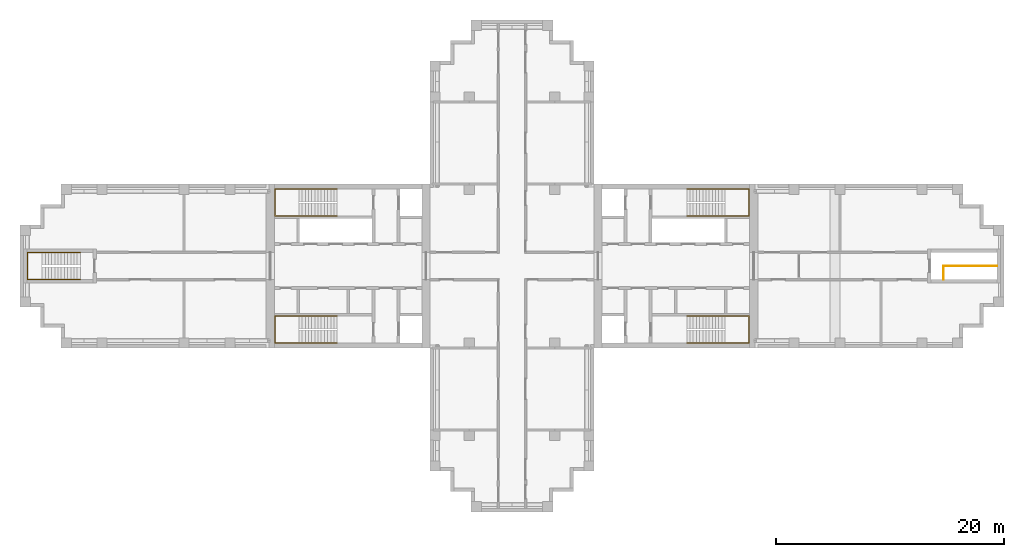
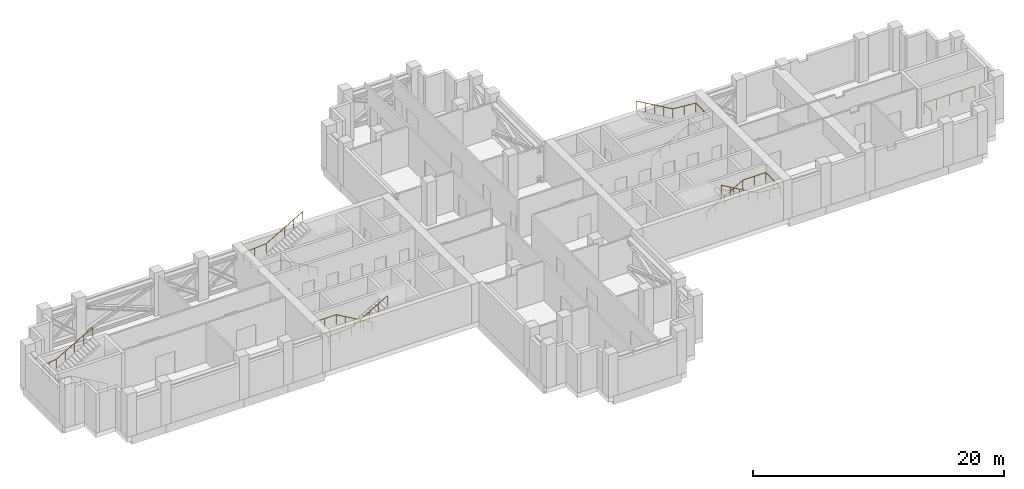
# One storey, part 9 of 9: 6 railings.
"""IFC4 building model written with IfcOpenShell, lengths in metres."""

from ifc_helpers import new_model, si_unit, direction, frame, origin, origin_2d, place, context, subcontext, project, spatial, circle, extrude, material, type_object, element, save


model = new_model("IFC4")

# Units and contexts
model_context = context("Model", 3, precision=1e-05, world=origin(), true_north=direction((0.0, 1.0)))
body_context = subcontext(model_context, "Body", "Model", "MODEL_VIEW")
ifc_project = project(units=[si_unit("LENGTHUNIT", "METRE"), si_unit("AREAUNIT", "SQUARE_METRE"), si_unit("VOLUMEUNIT", "CUBIC_METRE"), si_unit("PLANEANGLEUNIT", "RADIAN"), si_unit("MASSUNIT", "GRAM", prefix="KILO")], contexts=[model_context])

# Site, building, storey
site_placement = place(None, origin())
site = spatial("IfcSite", under=ifc_project, at=site_placement, CompositionType="ELEMENT")
building_placement = place(site_placement, origin())
building = spatial("IfcBuilding", under=site, at=building_placement, Name="Fustian Cross Tower", CompositionType="ELEMENT")
storey_placement = place(building_placement, frame((0.0, 0.0, 162.300048828125)))
storey = spatial("IfcBuildingStorey", under=building, at=storey_placement, Name="L51", CompositionType="ELEMENT", Elevation=162.300048828125)

# Railings
ifc_material_1 = material(Name="Stainless steel", Category="steel")
railing_type_1 = type_object("IfcRailingType", Name="STAIR GUARD", PredefinedType="GUARDRAIL", material=ifc_material_1)
railing_1_placement = place(storey_placement, frame((37.89990234375, -1.199951171875, 0.0)))
element("IfcRailing", 1, at=railing_1_placement, inside=storey, type_object=railing_type_1, Name="Stair ST8 guard", PredefinedType="GUARDRAIL", context=body_context, shape_type="SweptSolid", body=[
    extrude(circle(Radius=0.02490234375, at=origin_2d()), frame((0.0, 0.0, 1.0751953125), z_axis=(0.0, 1.0, 0.0), x_axis=(-1.0, 0.0, 0.0)), (0.0, 0.0, 1.0), 1.199951171875),
    extrude(circle(Radius=0.02490234375, at=origin_2d()), frame((0.0, 1.199951171875, 1.0751953125), z_axis=(1.0, 0.0, 0.0), x_axis=(0.0, 1.0, 0.0)), (0.0, 0.0, 1.0), 4.7001953125),
    extrude(circle(Radius=0.02001953125, at=origin_2d()), origin(), (0.0, 0.0, 1.0), 1.050048828125),
    extrude(circle(Radius=0.02001953125, at=origin_2d()), frame((0.0, 1.199951171875, 0.0)), (0.0, 0.0, 1.0), 1.050048828125),
    extrude(circle(Radius=0.02001953125, at=origin_2d()), frame((1.175048828125, 1.199951171875, 0.0)), (0.0, 0.0, 1.0), 1.050048828125),
    extrude(circle(Radius=0.02001953125, at=origin_2d()), frame((2.35009765625, 1.199951171875, 0.0)), (0.0, 0.0, 1.0), 1.050048828125),
    extrude(circle(Radius=0.02001953125, at=origin_2d()), frame((3.525146484375, 1.199951171875, 0.0)), (0.0, 0.0, 1.0), 1.050048828125),
    extrude(circle(Radius=0.02001953125, at=origin_2d()), frame((4.7001953125, 1.199951171875, 0.0)), (0.0, 0.0, 1.0), 1.050048828125),
])
ifc_material_2 = material(Name="Stainless steel", Category="steel")
railing_type_2 = type_object("IfcRailingType", Name="STAIR HANDRAIL", PredefinedType="HANDRAIL", material=ifc_material_2)
railing_2_placement = place(storey_placement, frame((15.35009765625, 4.39990234375, 0.161376953125)))
element("IfcRailing", 2, at=railing_2_placement, inside=storey, type_object=railing_type_2, Name="Stair ST1 handrail 1", PredefinedType="HANDRAIL", context=body_context, shape_type="SweptSolid", body=[
    extrude(circle(Radius=0.02490234375, at=origin_2d()), frame((0.0, 0.0, 0.875), z_axis=(0.866175107563, 0.0, 0.499740615757), x_axis=(0.0, 1.0, 0.0)), (0.0, 0.0, 1.0), 3.87890625),
    extrude(circle(Radius=0.02490234375, at=origin_2d()), frame((3.35986328125, 0.0, 2.8134765625), z_axis=(1.0, 0.0, 0.0), x_axis=(0.0, 1.0, 0.0)), (0.0, 0.0, 1.0), 2.10009765625),
    extrude(circle(Radius=0.02490234375, at=origin_2d()), frame((5.4599609375, 0.0, 2.8134765625), z_axis=(0.0, 1.0, 0.0), x_axis=(-1.0, 0.0, 0.0)), (0.0, 0.0, 1.0), 2.35009765625),
    extrude(circle(Radius=0.02490234375, at=origin_2d()), frame((5.4599609375, 2.35009765625, 2.8134765625), z_axis=(-0.997051757594, 0.0, 0.076731953444), x_axis=(0.0, -1.0, 0.0)), (0.0, 0.0, 1.0), 2.106201171875),
    extrude(circle(Radius=0.02490234375, at=origin_2d()), frame((3.35986328125, 2.35009765625, 2.97509765625), z_axis=(-0.866175107563, 0.0, 0.499740615757), x_axis=(0.0, -1.0, 0.0)), (0.0, 0.0, 1.0), 3.87890625),
    extrude(circle(Radius=0.02001953125, at=origin_2d()), origin(), (0.0, 0.0, 1.0), 0.849853515625),
    extrude(circle(Radius=0.02001953125, at=origin_2d()), frame((0.83984375, 0.0, 0.484619140625)), (0.0, 0.0, 1.0), 0.849853515625),
    extrude(circle(Radius=0.02001953125, at=origin_2d()), frame((1.679931640625, 0.0, 0.96923828125)), (0.0, 0.0, 1.0), 0.849853515625),
    extrude(circle(Radius=0.02001953125, at=origin_2d()), frame((2.52001953125, 0.0, 1.453857421875)), (0.0, 0.0, 1.0), 0.849853515625),
    extrude(circle(Radius=0.02001953125, at=origin_2d()), frame((3.35986328125, 0.0, 1.9384765625)), (0.0, 0.0, 1.0), 0.849853515625),
    extrude(circle(Radius=0.02001953125, at=origin_2d()), frame((4.409912109375, 0.0, 1.9384765625)), (0.0, 0.0, 1.0), 0.849853515625),
    extrude(circle(Radius=0.02001953125, at=origin_2d()), frame((5.4599609375, 0.0, 1.9384765625)), (0.0, 0.0, 1.0), 0.849853515625),
    extrude(circle(Radius=0.02001953125, at=origin_2d()), frame((5.4599609375, 1.175048828125, 1.9384765625)), (0.0, 0.0, 1.0), 0.849853515625),
    extrude(circle(Radius=0.02001953125, at=origin_2d()), frame((5.4599609375, 2.35009765625, 1.9384765625)), (0.0, 0.0, 1.0), 0.849853515625),
    extrude(circle(Radius=0.02001953125, at=origin_2d()), frame((4.409912109375, 2.35009765625, 2.019287109375)), (0.0, 0.0, 1.0), 0.849853515625),
    extrude(circle(Radius=0.02001953125, at=origin_2d()), frame((3.35986328125, 2.35009765625, 2.10009765625)), (0.0, 0.0, 1.0), 0.849853515625),
    extrude(circle(Radius=0.02001953125, at=origin_2d()), frame((2.52001953125, 2.35009765625, 2.584716796875)), (0.0, 0.0, 1.0), 0.849853515625),
    extrude(circle(Radius=0.02001953125, at=origin_2d()), frame((1.679931640625, 2.35009765625, 3.0693359375)), (0.0, 0.0, 1.0), 0.849853515625),
    extrude(circle(Radius=0.02001953125, at=origin_2d()), frame((0.83984375, 2.35009765625, 3.553955078125)), (0.0, 0.0, 1.0), 0.849853515625),
    extrude(circle(Radius=0.02001953125, at=origin_2d()), frame((0.0, 2.35009765625, 4.03857421875)), (0.0, 0.0, 1.0), 0.849853515625),
])
railing_3_placement = place(storey_placement, frame((15.35009765625, -4.39990234375, 0.161376953125)))
element("IfcRailing", 3, at=railing_3_placement, inside=storey, type_object=railing_type_2, Name="Stair ST2 handrail 1", PredefinedType="HANDRAIL", context=body_context, shape_type="SweptSolid", body=[
    extrude(circle(Radius=0.02490234375, at=origin_2d()), frame((0.0, 0.0, 0.875), z_axis=(0.866175107563, 0.0, 0.499740615757), x_axis=(0.0, 1.0, 0.0)), (0.0, 0.0, 1.0), 3.87890625),
    extrude(circle(Radius=0.02490234375, at=origin_2d()), frame((3.35986328125, 0.0, 2.8134765625), z_axis=(1.0, 0.0, 0.0), x_axis=(0.0, 1.0, 0.0)), (0.0, 0.0, 1.0), 2.10009765625),
    extrude(circle(Radius=0.02490234375, at=origin_2d()), frame((5.4599609375, 0.0, 2.8134765625), z_axis=(0.0, -1.0, 0.0), x_axis=(1.0, 0.0, 0.0)), (0.0, 0.0, 1.0), 2.35009765625),
    extrude(circle(Radius=0.02490234375, at=origin_2d()), frame((5.4599609375, -2.35009765625, 2.8134765625), z_axis=(-0.997051757594, 0.0, 0.076731953444), x_axis=(0.0, -1.0, 0.0)), (0.0, 0.0, 1.0), 2.106201171875),
    extrude(circle(Radius=0.02490234375, at=origin_2d()), frame((3.35986328125, -2.35009765625, 2.97509765625), z_axis=(-0.866175107563, 0.0, 0.499740615757), x_axis=(0.0, -1.0, 0.0)), (0.0, 0.0, 1.0), 3.87890625),
    extrude(circle(Radius=0.02001953125, at=origin_2d()), origin(), (0.0, 0.0, 1.0), 0.849853515625),
    extrude(circle(Radius=0.02001953125, at=origin_2d()), frame((0.83984375, 0.0, 0.484619140625)), (0.0, 0.0, 1.0), 0.849853515625),
    extrude(circle(Radius=0.02001953125, at=origin_2d()), frame((1.679931640625, 0.0, 0.96923828125)), (0.0, 0.0, 1.0), 0.849853515625),
    extrude(circle(Radius=0.02001953125, at=origin_2d()), frame((2.52001953125, 0.0, 1.453857421875)), (0.0, 0.0, 1.0), 0.849853515625),
    extrude(circle(Radius=0.02001953125, at=origin_2d()), frame((3.35986328125, 0.0, 1.9384765625)), (0.0, 0.0, 1.0), 0.849853515625),
    extrude(circle(Radius=0.02001953125, at=origin_2d()), frame((4.409912109375, 0.0, 1.9384765625)), (0.0, 0.0, 1.0), 0.849853515625),
    extrude(circle(Radius=0.02001953125, at=origin_2d()), frame((5.4599609375, 0.0, 1.9384765625)), (0.0, 0.0, 1.0), 0.849853515625),
    extrude(circle(Radius=0.02001953125, at=origin_2d()), frame((5.4599609375, -1.175048828125, 1.9384765625)), (0.0, 0.0, 1.0), 0.849853515625),
    extrude(circle(Radius=0.02001953125, at=origin_2d()), frame((5.4599609375, -2.35009765625, 1.9384765625)), (0.0, 0.0, 1.0), 0.849853515625),
    extrude(circle(Radius=0.02001953125, at=origin_2d()), frame((4.409912109375, -2.35009765625, 2.019287109375)), (0.0, 0.0, 1.0), 0.849853515625),
    extrude(circle(Radius=0.02001953125, at=origin_2d()), frame((3.35986328125, -2.35009765625, 2.10009765625)), (0.0, 0.0, 1.0), 0.849853515625),
    extrude(circle(Radius=0.02001953125, at=origin_2d()), frame((2.52001953125, -2.35009765625, 2.584716796875)), (0.0, 0.0, 1.0), 0.849853515625),
    extrude(circle(Radius=0.02001953125, at=origin_2d()), frame((1.679931640625, -2.35009765625, 3.0693359375)), (0.0, 0.0, 1.0), 0.849853515625),
    extrude(circle(Radius=0.02001953125, at=origin_2d()), frame((0.83984375, -2.35009765625, 3.553955078125)), (0.0, 0.0, 1.0), 0.849853515625),
    extrude(circle(Radius=0.02001953125, at=origin_2d()), frame((0.0, -2.35009765625, 4.03857421875)), (0.0, 0.0, 1.0), 0.849853515625),
])
railing_4_placement = place(storey_placement, frame((-15.35009765625, 4.39990234375, 0.161376953125)))
element("IfcRailing", 4, at=railing_4_placement, inside=storey, type_object=railing_type_2, Name="Stair ST3 handrail 1", PredefinedType="HANDRAIL", context=body_context, shape_type="SweptSolid", body=[
    extrude(circle(Radius=0.02490234375, at=origin_2d()), frame((0.0, 0.0, 0.875), z_axis=(-0.866175107563, 0.0, 0.499740615757), x_axis=(0.0, -1.0, 0.0)), (0.0, 0.0, 1.0), 3.87890625),
    extrude(circle(Radius=0.02490234375, at=origin_2d()), frame((-3.35986328125, 0.0, 2.8134765625), z_axis=(-1.0, 0.0, 0.0), x_axis=(0.0, -1.0, 0.0)), (0.0, 0.0, 1.0), 2.10009765625),
    extrude(circle(Radius=0.02490234375, at=origin_2d()), frame((-5.4599609375, 0.0, 2.8134765625), z_axis=(0.0, 1.0, 0.0), x_axis=(-1.0, 0.0, 0.0)), (0.0, 0.0, 1.0), 2.35009765625),
    extrude(circle(Radius=0.02490234375, at=origin_2d()), frame((-5.4599609375, 2.35009765625, 2.8134765625), z_axis=(0.997051757594, 0.0, 0.076731953444), x_axis=(0.0, 1.0, 0.0)), (0.0, 0.0, 1.0), 2.106201171875),
    extrude(circle(Radius=0.02490234375, at=origin_2d()), frame((-3.35986328125, 2.35009765625, 2.97509765625), z_axis=(0.866175107563, 0.0, 0.499740615757), x_axis=(0.0, 1.0, 0.0)), (0.0, 0.0, 1.0), 3.87890625),
    extrude(circle(Radius=0.02001953125, at=origin_2d()), origin(), (0.0, 0.0, 1.0), 0.849853515625),
    extrude(circle(Radius=0.02001953125, at=origin_2d()), frame((-0.83984375, 0.0, 0.484619140625)), (0.0, 0.0, 1.0), 0.849853515625),
    extrude(circle(Radius=0.02001953125, at=origin_2d()), frame((-1.679931640625, 0.0, 0.96923828125)), (0.0, 0.0, 1.0), 0.849853515625),
    extrude(circle(Radius=0.02001953125, at=origin_2d()), frame((-2.52001953125, 0.0, 1.453857421875)), (0.0, 0.0, 1.0), 0.849853515625),
    extrude(circle(Radius=0.02001953125, at=origin_2d()), frame((-3.35986328125, 0.0, 1.9384765625)), (0.0, 0.0, 1.0), 0.849853515625),
    extrude(circle(Radius=0.02001953125, at=origin_2d()), frame((-4.409912109375, 0.0, 1.9384765625)), (0.0, 0.0, 1.0), 0.849853515625),
    extrude(circle(Radius=0.02001953125, at=origin_2d()), frame((-5.4599609375, 0.0, 1.9384765625)), (0.0, 0.0, 1.0), 0.849853515625),
    extrude(circle(Radius=0.02001953125, at=origin_2d()), frame((-5.4599609375, 1.175048828125, 1.9384765625)), (0.0, 0.0, 1.0), 0.849853515625),
    extrude(circle(Radius=0.02001953125, at=origin_2d()), frame((-5.4599609375, 2.35009765625, 1.9384765625)), (0.0, 0.0, 1.0), 0.849853515625),
    extrude(circle(Radius=0.02001953125, at=origin_2d()), frame((-4.409912109375, 2.35009765625, 2.019287109375)), (0.0, 0.0, 1.0), 0.849853515625),
    extrude(circle(Radius=0.02001953125, at=origin_2d()), frame((-3.35986328125, 2.35009765625, 2.10009765625)), (0.0, 0.0, 1.0), 0.849853515625),
    extrude(circle(Radius=0.02001953125, at=origin_2d()), frame((-2.52001953125, 2.35009765625, 2.584716796875)), (0.0, 0.0, 1.0), 0.849853515625),
    extrude(circle(Radius=0.02001953125, at=origin_2d()), frame((-1.679931640625, 2.35009765625, 3.0693359375)), (0.0, 0.0, 1.0), 0.849853515625),
    extrude(circle(Radius=0.02001953125, at=origin_2d()), frame((-0.83984375, 2.35009765625, 3.553955078125)), (0.0, 0.0, 1.0), 0.849853515625),
    extrude(circle(Radius=0.02001953125, at=origin_2d()), frame((0.0, 2.35009765625, 4.03857421875)), (0.0, 0.0, 1.0), 0.849853515625),
])
railing_5_placement = place(storey_placement, frame((-15.35009765625, -4.39990234375, 0.161376953125)))
element("IfcRailing", 5, at=railing_5_placement, inside=storey, type_object=railing_type_2, Name="Stair ST4 handrail 1", PredefinedType="HANDRAIL", context=body_context, shape_type="SweptSolid", body=[
    extrude(circle(Radius=0.02490234375, at=origin_2d()), frame((0.0, 0.0, 0.875), z_axis=(-0.866175107563, 0.0, 0.499740615757), x_axis=(0.0, -1.0, 0.0)), (0.0, 0.0, 1.0), 3.87890625),
    extrude(circle(Radius=0.02490234375, at=origin_2d()), frame((-3.35986328125, 0.0, 2.8134765625), z_axis=(-1.0, 0.0, 0.0), x_axis=(0.0, -1.0, 0.0)), (0.0, 0.0, 1.0), 2.10009765625),
    extrude(circle(Radius=0.02490234375, at=origin_2d()), frame((-5.4599609375, 0.0, 2.8134765625), z_axis=(0.0, -1.0, 0.0), x_axis=(1.0, 0.0, 0.0)), (0.0, 0.0, 1.0), 2.35009765625),
    extrude(circle(Radius=0.02490234375, at=origin_2d()), frame((-5.4599609375, -2.35009765625, 2.8134765625), z_axis=(0.997051757594, 0.0, 0.076731953444), x_axis=(0.0, 1.0, 0.0)), (0.0, 0.0, 1.0), 2.106201171875),
    extrude(circle(Radius=0.02490234375, at=origin_2d()), frame((-3.35986328125, -2.35009765625, 2.97509765625), z_axis=(0.866175107563, 0.0, 0.499740615757), x_axis=(0.0, 1.0, 0.0)), (0.0, 0.0, 1.0), 3.87890625),
    extrude(circle(Radius=0.02001953125, at=origin_2d()), origin(), (0.0, 0.0, 1.0), 0.849853515625),
    extrude(circle(Radius=0.02001953125, at=origin_2d()), frame((-0.83984375, 0.0, 0.484619140625)), (0.0, 0.0, 1.0), 0.849853515625),
    extrude(circle(Radius=0.02001953125, at=origin_2d()), frame((-1.679931640625, 0.0, 0.96923828125)), (0.0, 0.0, 1.0), 0.849853515625),
    extrude(circle(Radius=0.02001953125, at=origin_2d()), frame((-2.52001953125, 0.0, 1.453857421875)), (0.0, 0.0, 1.0), 0.849853515625),
    extrude(circle(Radius=0.02001953125, at=origin_2d()), frame((-3.35986328125, 0.0, 1.9384765625)), (0.0, 0.0, 1.0), 0.849853515625),
    extrude(circle(Radius=0.02001953125, at=origin_2d()), frame((-4.409912109375, 0.0, 1.9384765625)), (0.0, 0.0, 1.0), 0.849853515625),
    extrude(circle(Radius=0.02001953125, at=origin_2d()), frame((-5.4599609375, 0.0, 1.9384765625)), (0.0, 0.0, 1.0), 0.849853515625),
    extrude(circle(Radius=0.02001953125, at=origin_2d()), frame((-5.4599609375, -1.175048828125, 1.9384765625)), (0.0, 0.0, 1.0), 0.849853515625),
    extrude(circle(Radius=0.02001953125, at=origin_2d()), frame((-5.4599609375, -2.35009765625, 1.9384765625)), (0.0, 0.0, 1.0), 0.849853515625),
    extrude(circle(Radius=0.02001953125, at=origin_2d()), frame((-4.409912109375, -2.35009765625, 2.019287109375)), (0.0, 0.0, 1.0), 0.849853515625),
    extrude(circle(Radius=0.02001953125, at=origin_2d()), frame((-3.35986328125, -2.35009765625, 2.10009765625)), (0.0, 0.0, 1.0), 0.849853515625),
    extrude(circle(Radius=0.02001953125, at=origin_2d()), frame((-2.52001953125, -2.35009765625, 2.584716796875)), (0.0, 0.0, 1.0), 0.849853515625),
    extrude(circle(Radius=0.02001953125, at=origin_2d()), frame((-1.679931640625, -2.35009765625, 3.0693359375)), (0.0, 0.0, 1.0), 0.849853515625),
    extrude(circle(Radius=0.02001953125, at=origin_2d()), frame((-0.83984375, -2.35009765625, 3.553955078125)), (0.0, 0.0, 1.0), 0.849853515625),
    extrude(circle(Radius=0.02001953125, at=origin_2d()), frame((0.0, -2.35009765625, 4.03857421875)), (0.0, 0.0, 1.0), 0.849853515625),
])
railing_6_placement = place(storey_placement, frame((-37.89990234375, -1.199951171875, 0.161376953125)))
element("IfcRailing", 6, at=railing_6_placement, inside=storey, type_object=railing_type_2, Name="Stair ST9 handrail 1", PredefinedType="HANDRAIL", context=body_context, shape_type="SweptSolid", body=[
    extrude(circle(Radius=0.02490234375, at=origin_2d()), frame((0.0, 0.0, 0.875), z_axis=(-0.866190824863, 0.0, 0.499713372768), x_axis=(0.0, -1.0, 0.0)), (0.0, 0.0, 1.0), 3.879150390625),
    extrude(circle(Radius=0.02490234375, at=origin_2d()), frame((-3.360107421875, 0.0, 2.8134765625), z_axis=(-1.0, 0.0, 0.0), x_axis=(0.0, -1.0, 0.0)), (0.0, 0.0, 1.0), 1.300048828125),
    extrude(circle(Radius=0.02490234375, at=origin_2d()), frame((-4.66015625, 0.0, 2.8134765625), z_axis=(0.0, 1.0, 0.0), x_axis=(-1.0, 0.0, 0.0)), (0.0, 0.0, 1.0), 2.39990234375),
    extrude(circle(Radius=0.02490234375, at=origin_2d()), frame((-4.66015625, 2.39990234375, 2.8134765625), z_axis=(0.992360798486, 0.0, 0.123369549032), x_axis=(0.0, 1.0, 0.0)), (0.0, 0.0, 1.0), 1.31005859375),
    extrude(circle(Radius=0.02490234375, at=origin_2d()), frame((-3.360107421875, 2.39990234375, 2.97509765625), z_axis=(0.866190824863, 0.0, 0.499713372768), x_axis=(0.0, 1.0, 0.0)), (0.0, 0.0, 1.0), 3.879150390625),
    extrude(circle(Radius=0.02001953125, at=origin_2d()), origin(), (0.0, 0.0, 1.0), 0.849853515625),
    extrude(circle(Radius=0.02001953125, at=origin_2d()), frame((-0.840087890625, 0.0, 0.484619140625)), (0.0, 0.0, 1.0), 0.849853515625),
    extrude(circle(Radius=0.02001953125, at=origin_2d()), frame((-1.68017578125, 0.0, 0.96923828125)), (0.0, 0.0, 1.0), 0.849853515625),
    extrude(circle(Radius=0.02001953125, at=origin_2d()), frame((-2.52001953125, 0.0, 1.453857421875)), (0.0, 0.0, 1.0), 0.849853515625),
    extrude(circle(Radius=0.02001953125, at=origin_2d()), frame((-3.360107421875, 0.0, 1.9384765625)), (0.0, 0.0, 1.0), 0.849853515625),
    extrude(circle(Radius=0.02001953125, at=origin_2d()), frame((-4.01025390625, 0.0, 1.9384765625)), (0.0, 0.0, 1.0), 0.849853515625),
    extrude(circle(Radius=0.02001953125, at=origin_2d()), frame((-4.66015625, 0.0, 1.9384765625)), (0.0, 0.0, 1.0), 0.849853515625),
    extrude(circle(Radius=0.02001953125, at=origin_2d()), frame((-4.66015625, 1.199951171875, 1.9384765625)), (0.0, 0.0, 1.0), 0.849853515625),
    extrude(circle(Radius=0.02001953125, at=origin_2d()), frame((-4.66015625, 2.39990234375, 1.9384765625)), (0.0, 0.0, 1.0), 0.849853515625),
    extrude(circle(Radius=0.02001953125, at=origin_2d()), frame((-4.01025390625, 2.39990234375, 2.019287109375)), (0.0, 0.0, 1.0), 0.849853515625),
    extrude(circle(Radius=0.02001953125, at=origin_2d()), frame((-3.360107421875, 2.39990234375, 2.10009765625)), (0.0, 0.0, 1.0), 0.849853515625),
    extrude(circle(Radius=0.02001953125, at=origin_2d()), frame((-2.52001953125, 2.39990234375, 2.584716796875)), (0.0, 0.0, 1.0), 0.849853515625),
    extrude(circle(Radius=0.02001953125, at=origin_2d()), frame((-1.68017578125, 2.39990234375, 3.0693359375)), (0.0, 0.0, 1.0), 0.849853515625),
    extrude(circle(Radius=0.02001953125, at=origin_2d()), frame((-0.840087890625, 2.39990234375, 3.553955078125)), (0.0, 0.0, 1.0), 0.849853515625),
    extrude(circle(Radius=0.02001953125, at=origin_2d()), frame((0.0, 2.39990234375, 4.03857421875)), (0.0, 0.0, 1.0), 0.849853515625),
])

save(model, "model.ifc")
